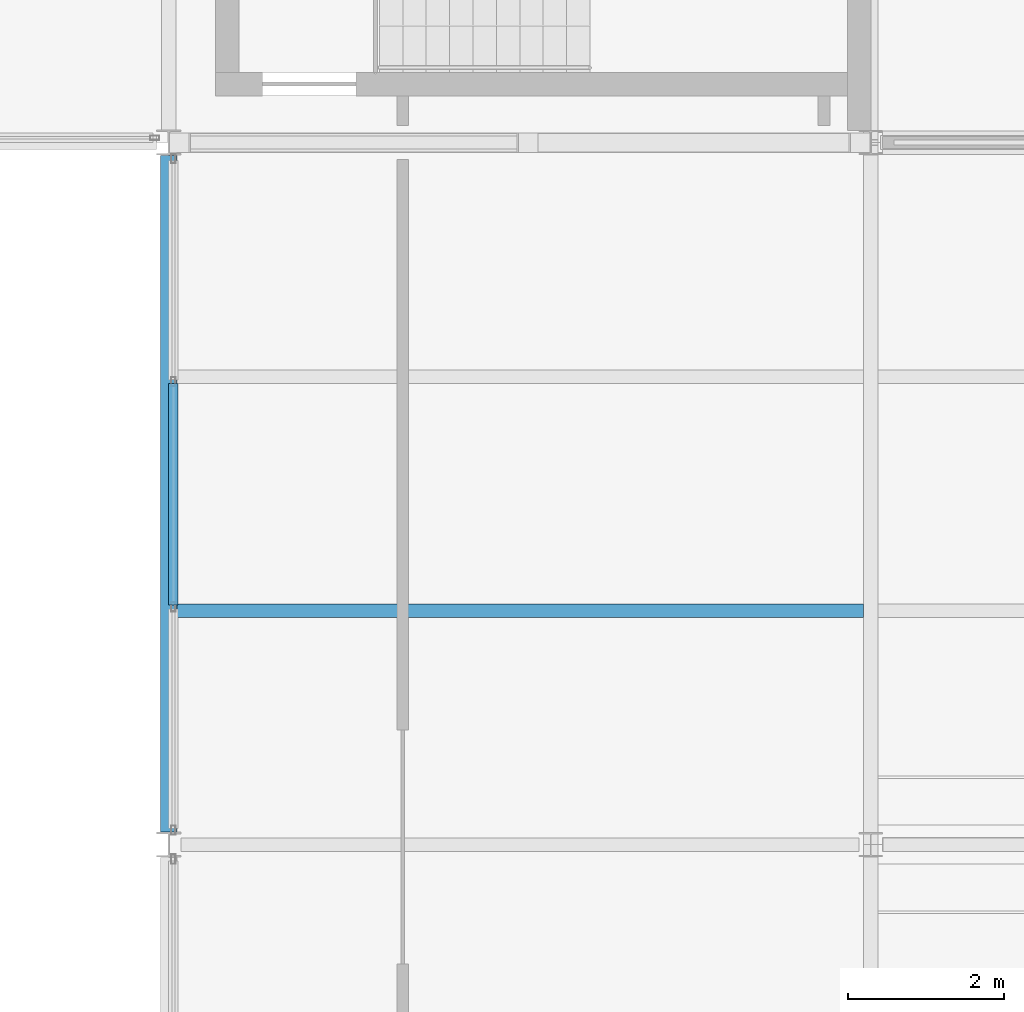
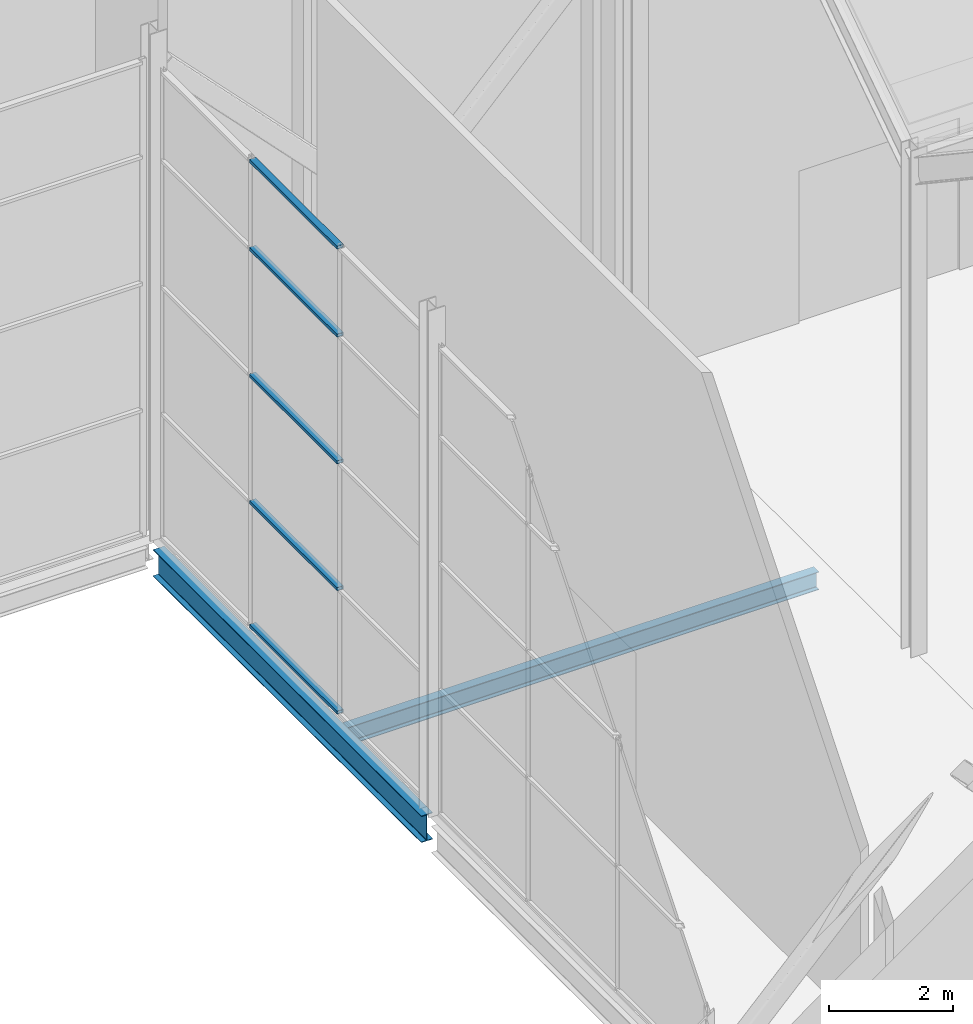
# One storey, part 57 of 111: 5 members, 2 beams, 1 element without a shape of its own.
"""IFC4 building model written with IfcOpenShell, lengths in metres."""

from ifc_helpers import new_model, si_unit, direction, frame, origin, origin_2d, place, context, subcontext, project, spatial, hollow_rectangle, i_section, extrude, material, layer, layer_set, material_profile, profile_set, type_object, element, aggregate, save


model = new_model("IFC4")

# Units and contexts
model_context = context("Model", 3, precision=1e-05, world=origin(), true_north=direction((0.0, 1.0)))
body_context = subcontext(model_context, "Body", "Model", "MODEL_VIEW")
ifc_project = project(units=[si_unit("LENGTHUNIT", "METRE"), si_unit("AREAUNIT", "SQUARE_METRE"), si_unit("VOLUMEUNIT", "CUBIC_METRE"), si_unit("PLANEANGLEUNIT", "RADIAN"), si_unit("MASSUNIT", "GRAM", prefix="KILO")], contexts=[model_context])

# Site, building, storey
site_placement = place(None, origin())
site = spatial("IfcSite", under=ifc_project, at=site_placement, CompositionType="ELEMENT")
building_placement = place(site_placement, origin())
building = spatial("IfcBuilding", under=site, at=building_placement, Name="Shorebreak Coast Museum", CompositionType="ELEMENT")
storey_placement = place(building_placement, frame((0.0, 0.0, 16.0)))
storey = spatial("IfcBuildingStorey", under=building, at=storey_placement, Name="L03", CompositionType="ELEMENT", Elevation=16.0)

# Beams
ifc_material_1 = material(Name="Steel Grade 300", Category="steel")
ifc_material_profile_1 = material_profile(ifc_material_1, i_section(OverallWidth=0.208984375, OverallDepth=0.5283203125, WebThickness=0.009521484375, FlangeThickness=0.01318359375, FilletRadius=0.013916015625, at=origin_2d()), Name="530UB82.0")
ifc_profile_set_1 = profile_set([ifc_material_profile_1], Name="Steel Grade 300")
beam_type_1 = type_object("IfcBeamType", Name="Floor girder north-south 530UB82.0", PredefinedType="BEAM", material=ifc_profile_set_1)
beam_1_placement = place(storey_placement, frame((108.0, 72.16357421875, -0.439208984375), z_axis=(0.0, 1.0, 0.0), x_axis=(-1.0, 0.0, 0.0)))
element("IfcBeam", 1, at=beam_1_placement, inside=storey, type_object=beam_type_1, Name="Floor girder north-south L03 13J", PredefinedType="BEAM", context=body_context, shape_type="SweptSolid", body=[
    extrude(i_section(OverallWidth=0.208984375, OverallDepth=0.5283203125, WebThickness=0.009521484375, FlangeThickness=0.01318359375, FilletRadius=0.013916015625, at=origin_2d()), origin(), (0.0, 0.0, 1.0), 8.6728515625),
])
ifc_material_2 = material(Name="Steel Grade 300", Category="steel")
ifc_material_profile_2 = material_profile(ifc_material_2, i_section(OverallWidth=0.1708984375, OverallDepth=0.355712890625, WebThickness=0.00732421875, FlangeThickness=0.011474609375, FilletRadius=0.011474609375, at=origin_2d()), Name="360UB50.7")
ifc_profile_set_2 = profile_set([ifc_material_profile_2], Name="Steel Grade 300")
beam_type_2 = type_object("IfcBeamType", Name="Floor joist 360UB50.7", PredefinedType="JOIST", material=ifc_profile_set_2)
beam_2_placement = place(storey_placement, frame((108.1044921875, 75.0, -0.352783203125), z_axis=(1.0, 0.0, 0.0), x_axis=(0.0, 1.0, 0.0)))
element("IfcBeam", 2, at=beam_2_placement, inside=storey, type_object=beam_type_2, Name="Floor joist L03 bay 13J at 3000 mm", PredefinedType="JOIST", context=body_context, shape_type="SweptSolid", body=[
    extrude(i_section(OverallWidth=0.1708984375, OverallDepth=0.355712890625, WebThickness=0.00732421875, FlangeThickness=0.011474609375, FilletRadius=0.011474609375, at=origin_2d()), origin(), (0.0, 0.0, 1.0), 8.800537109375),
])

# Curtain wall, members
ifc_material_3 = material(Name="Aluminium", Category="aluminium")
ifc_layer = layer(ifc_material_3, 0.1201171875)
ifc_layer_set = layer_set([ifc_layer], Name="Aluminium")
curtain_wall_type = type_object("IfcCurtainWallType", Name="Atrium fire screen", PredefinedType="NOTDEFINED", material=ifc_layer_set)
curtain_wall_placement = place(storey_placement, origin())
curtain_wall = element("IfcCurtainWall", 3, at=curtain_wall_placement, inside=storey, type_object=curtain_wall_type, Name="Atrium screen L03 E 48", PredefinedType="NOTDEFINED")
ifc_material_4 = material(Name="Aluminium", Category="aluminium")
ifc_material_profile_3 = material_profile(ifc_material_4, hollow_rectangle(XDim=0.1201171875, YDim=0.06005859375, WallThickness=0.00341796875, at=origin_2d()), Name="AL 60x120 RHS")
ifc_profile_set_3 = profile_set([ifc_material_profile_3], Name="Aluminium")
member_type = type_object("IfcMemberType", Name="Screen transom 120 x 50", PredefinedType="USERDEFINED", material=ifc_profile_set_3)
member_1_placement = place(storey_placement, frame((108.06005859375, 75.072509765625, 0.06005859375), z_axis=(0.0, 1.0, 0.0), x_axis=(-1.0, 0.0, 0.0)))
member_1 = element("IfcMember", 4, at=member_1_placement, type_object=member_type, Name="CW4 transom 2.1", ObjectType="TRANSOM", PredefinedType="USERDEFINED", context=body_context, shape_type="SweptSolid", body=[
    extrude(hollow_rectangle(XDim=0.1201171875, YDim=0.06005859375, WallThickness=0.00341796875, at=origin_2d()), origin(), (0.0, 0.0, 1.0), 2.837158203125),
])
member_2_placement = place(storey_placement, frame((108.06005859375, 75.072509765625, 2.5), z_axis=(0.0, 1.0, 0.0), x_axis=(-1.0, 0.0, 0.0)))
member_2 = element("IfcMember", 5, at=member_2_placement, type_object=member_type, Name="CW4 transom 2.2", ObjectType="TRANSOM", PredefinedType="USERDEFINED", context=body_context, shape_type="SweptSolid", body=[
    extrude(hollow_rectangle(XDim=0.1201171875, YDim=0.06005859375, WallThickness=0.00341796875, at=origin_2d()), origin(), (0.0, 0.0, 1.0), 2.837158203125),
])
member_3_placement = place(storey_placement, frame((108.06005859375, 75.072509765625, 5.0), z_axis=(0.0, 1.0, 0.0), x_axis=(-1.0, 0.0, 0.0)))
member_3 = element("IfcMember", 6, at=member_3_placement, type_object=member_type, Name="CW4 transom 2.3", ObjectType="TRANSOM", PredefinedType="USERDEFINED", context=body_context, shape_type="SweptSolid", body=[
    extrude(hollow_rectangle(XDim=0.1201171875, YDim=0.06005859375, WallThickness=0.00341796875, at=origin_2d()), origin(), (0.0, 0.0, 1.0), 2.837158203125),
])
member_4_placement = place(storey_placement, frame((108.06005859375, 75.072509765625, 7.5), z_axis=(0.0, 1.0, 0.0), x_axis=(-1.0, 0.0, 0.0)))
member_4 = element("IfcMember", 7, at=member_4_placement, type_object=member_type, Name="CW4 transom 2.4", ObjectType="TRANSOM", PredefinedType="USERDEFINED", context=body_context, shape_type="SweptSolid", body=[
    extrude(hollow_rectangle(XDim=0.1201171875, YDim=0.06005859375, WallThickness=0.00341796875, at=origin_2d()), origin(), (0.0, 0.0, 1.0), 2.837158203125),
])
member_5_placement = place(storey_placement, frame((108.06005859375, 75.072509765625, 9.23681640625), z_axis=(0.0, 1.0, 0.0), x_axis=(-1.0, 0.0, 0.0)))
member_5 = element("IfcMember", 8, at=member_5_placement, type_object=member_type, Name="CW4 transom 2.5", ObjectType="TRANSOM", PredefinedType="USERDEFINED", context=body_context, shape_type="SweptSolid", body=[
    extrude(hollow_rectangle(XDim=0.1201171875, YDim=0.06005859375, WallThickness=0.00341796875, at=origin_2d()), origin(), (0.0, 0.0, 1.0), 2.837158203125),
])
aggregate(curtain_wall, [member_1, member_2, member_3, member_4, member_5])

save(model, "model.ifc")
